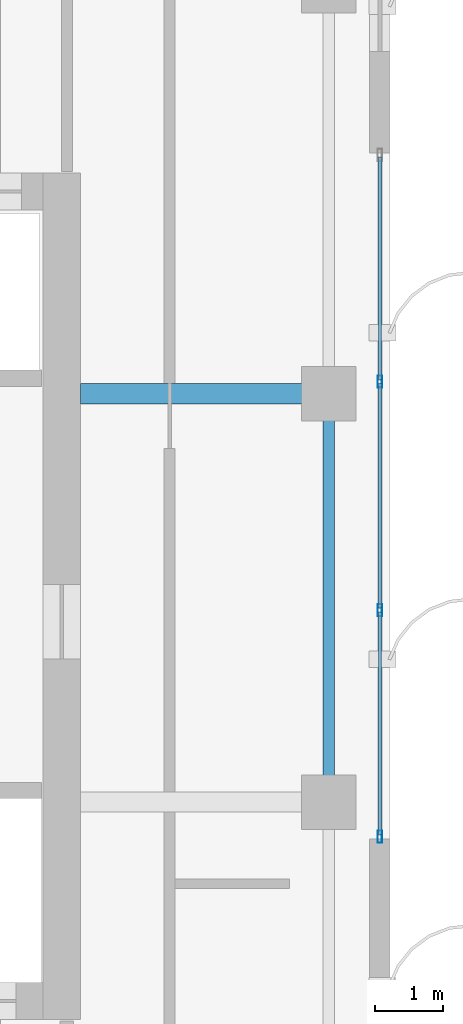
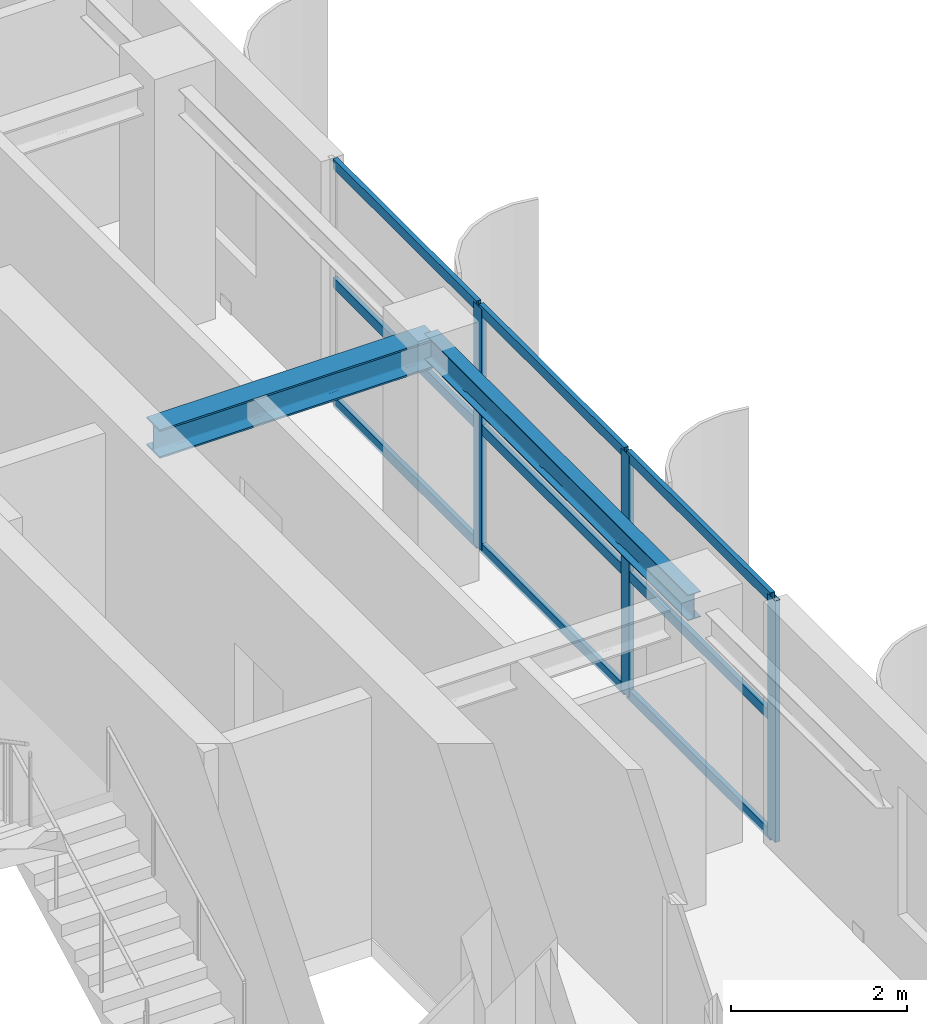
# One storey, part 12 of 24: 12 members, 2 beams, 1 element without a shape of its own.
"""IFC4 building model written with IfcOpenShell, lengths in metres."""

from ifc_helpers import new_model, si_unit, direction, frame, origin, origin_2d, place, context, subcontext, project, spatial, hollow_rectangle, i_section, extrude, source, transform, mapped, material, layer, layer_set, material_profile, profile_set, type_object, element, aggregate, save


model = new_model("IFC4")

# Units and contexts
model_context = context("Model", 3, precision=1e-05, world=origin(), true_north=direction((0.0, 1.0)))
body_context = subcontext(model_context, "Body", "Model", "MODEL_VIEW")
ifc_project = project(units=[si_unit("LENGTHUNIT", "METRE"), si_unit("AREAUNIT", "SQUARE_METRE"), si_unit("VOLUMEUNIT", "CUBIC_METRE"), si_unit("PLANEANGLEUNIT", "RADIAN"), si_unit("MASSUNIT", "GRAM", prefix="KILO")], contexts=[model_context])

# Site, building, storey
site_placement = place(None, origin())
site = spatial("IfcSite", under=ifc_project, at=site_placement, CompositionType="ELEMENT")
building_placement = place(site_placement, origin())
building = spatial("IfcBuilding", under=site, at=building_placement, Name="Khoralis Quay Care Tower", CompositionType="ELEMENT")
storey_placement = place(building_placement, frame((0.0, 0.0, 249.300048828125)))
storey = spatial("IfcBuildingStorey", under=building, at=storey_placement, Name="L65", CompositionType="ELEMENT", Elevation=249.300048828125)

# Beams
ifc_material_1 = material(Name="Steel S355", Category="steel")
ifc_material_profile_1 = material_profile(ifc_material_1, i_section(OverallWidth=0.169921875, OverallDepth=0.360107421875, WebThickness=0.008056640625, FlangeThickness=0.0126953125, FilletRadius=0.01806640625, at=origin_2d()), Name="Steel S355")
ifc_profile_set_1 = profile_set([ifc_material_profile_1], Name="Steel S355")
beam_type_1 = type_object("IfcBeamType", Name="BM-IPE360", PredefinedType="SPANDREL", material=ifc_profile_set_1)
shared_shape_1 = source(origin(), body_context, "Body", "SweptSolid", [
    extrude(i_section(OverallWidth=0.169921875, OverallDepth=0.360107421875, WebThickness=0.008056640625, FlangeThickness=0.0126953125, FilletRadius=0.01806640625, at=origin_2d()), origin(), (0.0, 0.0, 1.0), 6.0),
])
beam_1_placement = place(storey_placement, frame((41.10009765625, 18.0, 3.179931640625), z_axis=(0.0, 1.0, 0.0), x_axis=(-1.0, 0.0, 0.0)))
element("IfcBeam", 1, at=beam_1_placement, inside=storey, type_object=beam_type_1, Name="BM-TSP-L65-10", PredefinedType="SPANDREL", context=body_context, shape_type="MappedRepresentation", body=[
    mapped(shared_shape_1, transform((0.0, 0.0, 0.0), scale=1.0)),
])
ifc_material_profile_2 = material_profile(ifc_material_1, i_section(OverallWidth=0.300048828125, OverallDepth=0.39990234375, WebThickness=0.013427734375, FlangeThickness=0.02392578125, FilletRadius=0.027099609375, at=origin_2d()), Name="Steel S355")
ifc_profile_set_2 = profile_set([ifc_material_profile_2], Name="Steel S355")
beam_type_2 = type_object("IfcBeamType", Name="BM-HEB400", PredefinedType="BEAM", material=ifc_profile_set_2)
shared_shape_2 = source(origin(), body_context, "Body", "SweptSolid", [
    extrude(i_section(OverallWidth=0.300048828125, OverallDepth=0.39990234375, WebThickness=0.013427734375, FlangeThickness=0.02392578125, FilletRadius=0.027099609375, at=origin_2d()), origin(), (0.0, 0.0, 1.0), 3.652099609375),
])
beam_2_placement = place(storey_placement, frame((37.447998046875, 24.0, 3.159912109375), z_axis=(1.0, 0.0, 0.0), x_axis=(0.0, 1.0, 0.0)))
element("IfcBeam", 2, at=beam_2_placement, inside=storey, type_object=beam_type_2, Name="BM-TGXE-L65-240", PredefinedType="BEAM", context=body_context, shape_type="MappedRepresentation", body=[
    mapped(shared_shape_2, transform((0.0, 0.0, 0.0), scale=1.0)),
])

# Curtain wall, members
ifc_material_2 = material(Name="Pale anodised aluminium", Category="aluminium")
ifc_layer = layer(ifc_material_2, 0.159912109375)
ifc_layer_set = layer_set([ifc_layer], Name="Pale anodised aluminium")
curtain_wall_type = type_object("IfcCurtainWallType", Name="CW-SYS-Z3", PredefinedType="NOTDEFINED", material=ifc_layer_set)
curtain_wall_placement = place(storey_placement, origin())
curtain_wall = element("IfcCurtainWall", 3, at=curtain_wall_placement, inside=storey, type_object=curtain_wall_type, Name="L65 Unitised Curtain Wall CW-L65-P2-E5", PredefinedType="NOTDEFINED")
ifc_material_profile_3 = material_profile(ifc_material_2, hollow_rectangle(XDim=0.06005859375, YDim=0.139892578125, WallThickness=0.00390625, at=origin_2d()), Name="Pale anodised aluminium")
ifc_profile_set_3 = profile_set([ifc_material_profile_3], Name="Pale anodised aluminium")
member_type_1 = type_object("IfcMemberType", Name="CW-TRN-140", PredefinedType="USERDEFINED", material=ifc_profile_set_3)
shared_shape_3 = source(origin(), body_context, "Body", "SweptSolid", [
    extrude(hollow_rectangle(XDim=0.06005859375, YDim=0.139892578125, WallThickness=0.00390625, at=origin_2d()), origin(), (0.0, 0.0, 1.0), 3.27001953125),
])
member_1_placement = place(storey_placement, frame((41.85009765625, 17.52001953125, 0.030029296875), z_axis=(0.0, 1.0, 0.0), x_axis=(-1.0, 0.0, 0.0)))
member_1 = element("IfcMember", 4, at=member_1_placement, type_object=member_type_1, Name="CW3 transom 1.1", ObjectType="TRANSOM", PredefinedType="USERDEFINED", context=body_context, shape_type="MappedRepresentation", body=[
    mapped(shared_shape_3, transform((0.0, 0.0, 0.0), scale=1.0)),
])
member_2_placement = place(storey_placement, frame((41.85009765625, 17.52001953125, 1.679931640625), z_axis=(0.0, 1.0, 0.0), x_axis=(-1.0, 0.0, 0.0)))
member_2 = element("IfcMember", 5, at=member_2_placement, type_object=member_type_1, Name="CW3 transom 1.2", ObjectType="TRANSOM", PredefinedType="USERDEFINED", context=body_context, shape_type="MappedRepresentation", body=[
    mapped(shared_shape_3, transform((0.0, 0.0, 0.0), scale=1.0)),
])
member_3_placement = place(storey_placement, frame((41.85009765625, 17.52001953125, 3.329833984375), z_axis=(0.0, 1.0, 0.0), x_axis=(-1.0, 0.0, 0.0)))
member_3 = element("IfcMember", 6, at=member_3_placement, type_object=member_type_1, Name="CW3 transom 1.3", ObjectType="TRANSOM", PredefinedType="USERDEFINED", context=body_context, shape_type="MappedRepresentation", body=[
    mapped(shared_shape_3, transform((0.0, 0.0, 0.0), scale=1.0)),
])
member_4_placement = place(storey_placement, frame((41.85009765625, 24.2099609375, 0.030029296875), z_axis=(0.0, 1.0, 0.0), x_axis=(-1.0, 0.0, 0.0)))
member_4 = element("IfcMember", 7, at=member_4_placement, type_object=member_type_1, Name="CW3 transom 3.1", ObjectType="TRANSOM", PredefinedType="USERDEFINED", context=body_context, shape_type="MappedRepresentation", body=[
    mapped(shared_shape_3, transform((0.0, 0.0, 0.0), scale=1.0)),
])
member_5_placement = place(storey_placement, frame((41.85009765625, 24.2099609375, 1.679931640625), z_axis=(0.0, 1.0, 0.0), x_axis=(-1.0, 0.0, 0.0)))
member_5 = element("IfcMember", 8, at=member_5_placement, type_object=member_type_1, Name="CW3 transom 3.2", ObjectType="TRANSOM", PredefinedType="USERDEFINED", context=body_context, shape_type="MappedRepresentation", body=[
    mapped(shared_shape_3, transform((0.0, 0.0, 0.0), scale=1.0)),
])
member_6_placement = place(storey_placement, frame((41.85009765625, 24.2099609375, 3.329833984375), z_axis=(0.0, 1.0, 0.0), x_axis=(-1.0, 0.0, 0.0)))
member_6 = element("IfcMember", 9, at=member_6_placement, type_object=member_type_1, Name="CW3 transom 3.3", ObjectType="TRANSOM", PredefinedType="USERDEFINED", context=body_context, shape_type="MappedRepresentation", body=[
    mapped(shared_shape_3, transform((0.0, 0.0, 0.0), scale=1.0)),
])
shared_shape_4 = source(origin(), body_context, "Body", "SweptSolid", [
    extrude(hollow_rectangle(XDim=0.06005859375, YDim=0.139892578125, WallThickness=0.00390625, at=origin_2d()), origin(), (0.0, 0.0, 1.0), 3.2998046875),
])
member_7_placement = place(storey_placement, frame((41.85009765625, 20.85009765625, 0.030029296875), z_axis=(0.0, 1.0, 0.0), x_axis=(-1.0, 0.0, 0.0)))
member_7 = element("IfcMember", 10, at=member_7_placement, type_object=member_type_1, Name="CW3 transom 2.1", ObjectType="TRANSOM", PredefinedType="USERDEFINED", context=body_context, shape_type="MappedRepresentation", body=[
    mapped(shared_shape_4, transform((0.0, 0.0, 0.0), scale=1.0)),
])
member_8_placement = place(storey_placement, frame((41.85009765625, 20.85009765625, 1.679931640625), z_axis=(0.0, 1.0, 0.0), x_axis=(-1.0, 0.0, 0.0)))
member_8 = element("IfcMember", 11, at=member_8_placement, type_object=member_type_1, Name="CW3 transom 2.2", ObjectType="TRANSOM", PredefinedType="USERDEFINED", context=body_context, shape_type="MappedRepresentation", body=[
    mapped(shared_shape_4, transform((0.0, 0.0, 0.0), scale=1.0)),
])
member_9_placement = place(storey_placement, frame((41.85009765625, 20.85009765625, 3.329833984375), z_axis=(0.0, 1.0, 0.0), x_axis=(-1.0, 0.0, 0.0)))
member_9 = element("IfcMember", 12, at=member_9_placement, type_object=member_type_1, Name="CW3 transom 2.3", ObjectType="TRANSOM", PredefinedType="USERDEFINED", context=body_context, shape_type="MappedRepresentation", body=[
    mapped(shared_shape_4, transform((0.0, 0.0, 0.0), scale=1.0)),
])
ifc_material_profile_4 = material_profile(ifc_material_2, hollow_rectangle(XDim=0.06494140625, YDim=0.179931640625, WallThickness=0.00390625, at=origin_2d()), Name="Pale anodised aluminium")
ifc_profile_set_4 = profile_set([ifc_material_profile_4], Name="Pale anodised aluminium")
member_type_2 = type_object("IfcMemberType", Name="CW-MUL-180", PredefinedType="MULLION", material=ifc_profile_set_4)
shared_shape_5 = source(origin(), body_context, "Body", "SweptSolid", [
    extrude(hollow_rectangle(XDim=0.06494140625, YDim=0.179931640625, WallThickness=0.00390625, at=origin_2d()), origin(), (0.0, 0.0, 1.0), 3.35986328125),
])
member_10_placement = place(storey_placement, frame((41.85009765625, 17.489990234375, 0.0), z_axis=(0.0, 0.0, 1.0), x_axis=(-1.0, 0.0, 0.0)))
member_10 = element("IfcMember", 13, at=member_10_placement, type_object=member_type_2, Name="CW3 mullion 1", PredefinedType="MULLION", context=body_context, shape_type="MappedRepresentation", body=[
    mapped(shared_shape_5, transform((0.0, 0.0, 0.0), scale=1.0)),
])
member_11_placement = place(storey_placement, frame((41.85009765625, 20.820068359375, 0.0), z_axis=(0.0, 0.0, 1.0), x_axis=(-1.0, 0.0, 0.0)))
member_11 = element("IfcMember", 14, at=member_11_placement, type_object=member_type_2, Name="CW3 mullion 2", PredefinedType="MULLION", context=body_context, shape_type="MappedRepresentation", body=[
    mapped(shared_shape_5, transform((0.0, 0.0, 0.0), scale=1.0)),
])
member_12_placement = place(storey_placement, frame((41.85009765625, 24.179931640625, 0.0), z_axis=(0.0, 0.0, 1.0), x_axis=(-1.0, 0.0, 0.0)))
member_12 = element("IfcMember", 15, at=member_12_placement, type_object=member_type_2, Name="CW3 mullion 3", PredefinedType="MULLION", context=body_context, shape_type="MappedRepresentation", body=[
    mapped(shared_shape_5, transform((0.0, 0.0, 0.0), scale=1.0)),
])
aggregate(curtain_wall, [member_10, member_11, member_12, member_1, member_2, member_3, member_7, member_8, member_9, member_4, member_5, member_6])

save(model, "model.ifc")
